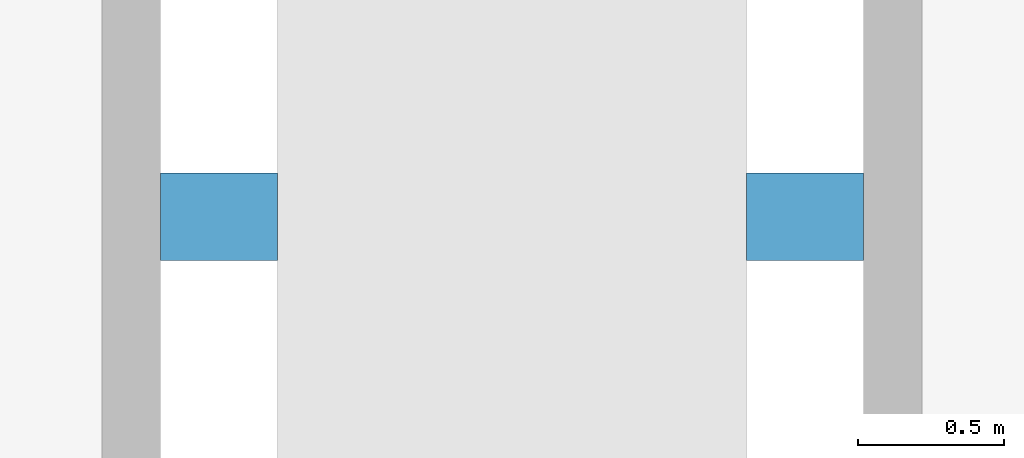
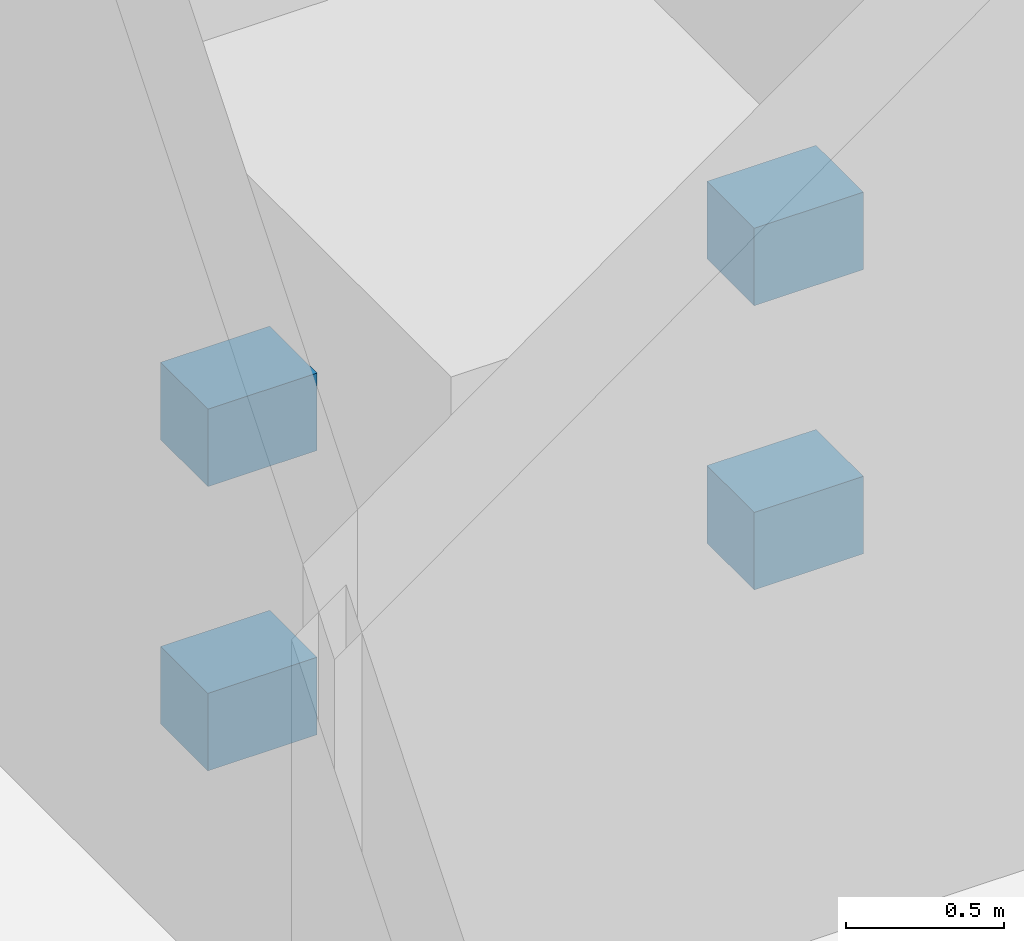
# One storey, part 62 of 77: 4 discrete accessories.
"""IFC4 building model written with IfcOpenShell, lengths in metres."""

from ifc_helpers import new_model, si_unit, direction, frame, origin, place, context, subcontext, project, spatial, polyline, outline, extrude, material, type_object, element, save


model = new_model("IFC4")

# Units and contexts
model_context = context("Model", 3, precision=1e-05, world=origin(), true_north=direction((0.0, 1.0)))
body_context = subcontext(model_context, "Body", "Model", "MODEL_VIEW")
ifc_project = project(units=[si_unit("LENGTHUNIT", "METRE"), si_unit("AREAUNIT", "SQUARE_METRE"), si_unit("VOLUMEUNIT", "CUBIC_METRE"), si_unit("PLANEANGLEUNIT", "RADIAN"), si_unit("MASSUNIT", "GRAM", prefix="KILO")], contexts=[model_context])

# Site, building, storey
site_placement = place(None, origin())
site = spatial("IfcSite", under=ifc_project, at=site_placement, CompositionType="ELEMENT")
building_placement = place(site_placement, origin())
building = spatial("IfcBuilding", under=site, at=building_placement, Name="Aravalli Gate Trade Fair Centre", CompositionType="ELEMENT")
storey_placement = place(building_placement, origin())
storey = spatial("IfcBuildingStorey", under=building, at=storey_placement, Name="L00", CompositionType="ELEMENT", Elevation=0.0)

# Discrete accessories
ifc_material = material(Name="Steel E350", Category="steel")
discrete_accessory_type = type_object("IfcDiscreteAccessoryType", Name="Wing lift guide bracket", PredefinedType="BRACKET", material=ifc_material)
discrete_accessory_1_placement = place(storey_placement, frame((0.0, 0.0, 0.5)))
element("IfcDiscreteAccessory", 1, at=discrete_accessory_1_placement, inside=storey, type_object=discrete_accessory_type, Name="Lift guide bracket W1", PredefinedType="BRACKET", context=body_context, shape_type="SweptSolid", body=[
    extrude(outline(polyline([(153.60009765625, 102.14990234375), (154.0, 102.14990234375), (154.0, 102.449951171875), (153.60009765625, 102.449951171875), (153.60009765625, 102.14990234375)])), origin(), (0.0, 0.0, 1.0), 0.300048828125),
])
discrete_accessory_2_placement = place(storey_placement, frame((0.0, 0.0, 1.60009765625)))
element("IfcDiscreteAccessory", 2, at=discrete_accessory_2_placement, inside=storey, type_object=discrete_accessory_type, Name="Lift guide bracket W2", PredefinedType="BRACKET", context=body_context, shape_type="SweptSolid", body=[
    extrude(outline(polyline([(153.60009765625, 102.14990234375), (154.0, 102.14990234375), (154.0, 102.449951171875), (153.60009765625, 102.449951171875), (153.60009765625, 102.14990234375)])), origin(), (0.0, 0.0, 1.0), 0.2998046875),
])
discrete_accessory_3_placement = place(storey_placement, frame((0.0, 0.0, 0.5)))
element("IfcDiscreteAccessory", 3, at=discrete_accessory_3_placement, inside=storey, type_object=discrete_accessory_type, Name="Lift guide bracket E1", PredefinedType="BRACKET", context=body_context, shape_type="SweptSolid", body=[
    extrude(outline(polyline([(155.60009765625, 102.14990234375), (156.0, 102.14990234375), (156.0, 102.449951171875), (155.60009765625, 102.449951171875), (155.60009765625, 102.14990234375)])), origin(), (0.0, 0.0, 1.0), 0.300048828125),
])
discrete_accessory_4_placement = place(storey_placement, frame((0.0, 0.0, 1.60009765625)))
element("IfcDiscreteAccessory", 4, at=discrete_accessory_4_placement, inside=storey, type_object=discrete_accessory_type, Name="Lift guide bracket E2", PredefinedType="BRACKET", context=body_context, shape_type="SweptSolid", body=[
    extrude(outline(polyline([(155.60009765625, 102.14990234375), (156.0, 102.14990234375), (156.0, 102.449951171875), (155.60009765625, 102.449951171875), (155.60009765625, 102.14990234375)])), origin(), (0.0, 0.0, 1.0), 0.2998046875),
])

save(model, "model.ifc")
